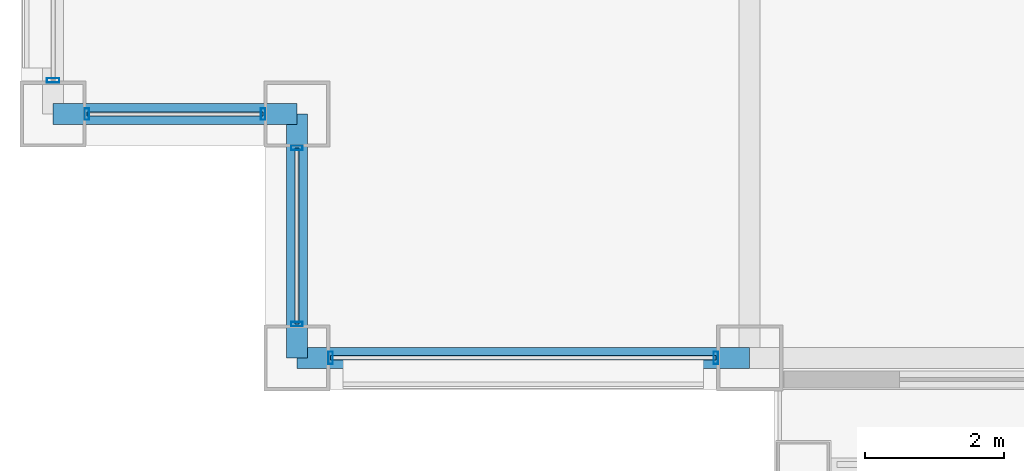
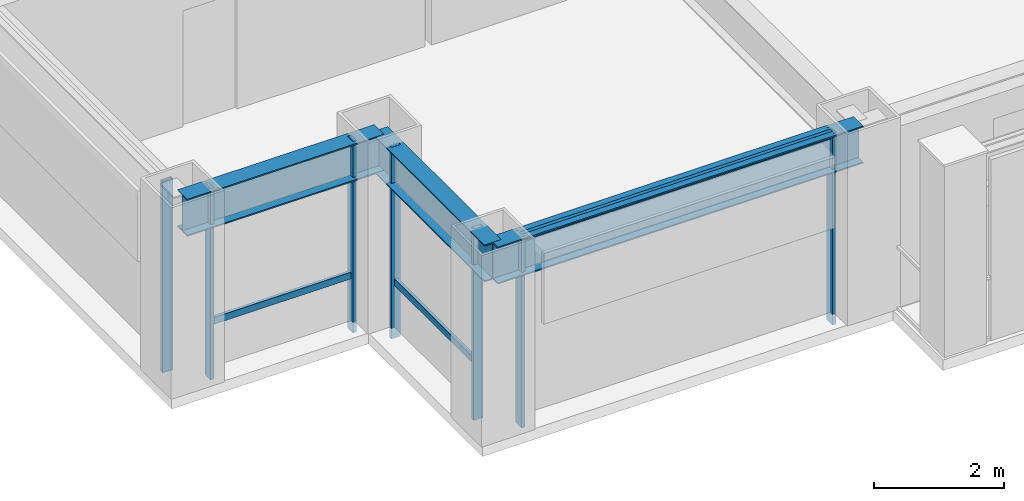
# One storey, part 2 of 31: 10 members, 3 beams, 4 elements without a shape of their own.
"""IFC4 building model written with IfcOpenShell, lengths in metres."""

from ifc_helpers import new_model, si_unit, direction, frame, origin, origin_2d, place, context, subcontext, project, spatial, hollow_rectangle, i_section, extrude, material, layer, layer_set, material_profile, profile_set, type_object, element, aggregate, save


model = new_model("IFC4")

# Units and contexts
model_context = context("Model", 3, precision=1e-05, world=origin(), true_north=direction((0.0, 1.0)))
body_context = subcontext(model_context, "Body", "Model", "MODEL_VIEW")
ifc_project = project(units=[si_unit("LENGTHUNIT", "METRE"), si_unit("AREAUNIT", "SQUARE_METRE"), si_unit("VOLUMEUNIT", "CUBIC_METRE"), si_unit("PLANEANGLEUNIT", "RADIAN"), si_unit("MASSUNIT", "GRAM", prefix="KILO")], contexts=[model_context])

# Site, building, storey
site_placement = place(None, origin())
site = spatial("IfcSite", under=ifc_project, at=site_placement, CompositionType="ELEMENT")
building_placement = place(site_placement, origin())
building = spatial("IfcBuilding", under=site, at=building_placement, Name="Brelmoor Portico Tower", CompositionType="ELEMENT")
storey_placement = place(building_placement, frame((0.0, 0.0, 27.60009765625)))
storey = spatial("IfcBuildingStorey", under=building, at=storey_placement, Name="L06", CompositionType="ELEMENT", Elevation=27.60009765625)

# Beams
ifc_material_1 = material(Name="Steel Q355B", Category="steel")
ifc_material_profile_1 = material_profile(ifc_material_1, i_section(OverallWidth=0.300048828125, OverallDepth=0.699951171875, WebThickness=0.012939453125, FlangeThickness=0.02392578125, at=origin_2d()), Name="HN 700x300x13x24")
ifc_profile_set_1 = profile_set([ifc_material_profile_1], Name="Steel Q355B")
beam_type = type_object("IfcBeamType", Name="BM-SP-700", PredefinedType="SPANDREL", material=ifc_profile_set_1)
beam_placement = place(storey_placement, frame((-21.050048828125, -21.550048828125, 3.0498046875), z_axis=(1.0, 0.0, 0.0), x_axis=(0.0, 1.0, 0.0)))
element("IfcBeam", 1, at=beam_placement, inside=storey, type_object=beam_type, Name="L06 Perimeter Spandrel Beam SP-01", PredefinedType="SPANDREL", context=body_context, shape_type="SweptSolid", body=[
    extrude(i_section(OverallWidth=0.300048828125, OverallDepth=0.699951171875, WebThickness=0.012939453125, FlangeThickness=0.02392578125, at=origin_2d()), origin(), (0.0, 0.0, 1.0), 6.5),
])
for number, where, z_axis, x_axis, name in (
    (2, (-24.550048828125, -18.050048828125, 3.0498046875), (1.0, 0.0, 0.0), (0.0, 1.0, 0.0), "L06 Perimeter Spandrel Beam SP-06"),
    (3, (-21.050048828125, -21.550048828125, 3.0498046875), (0.0, 1.0, 0.0), (-1.0, 0.0, 0.0), "L06 Perimeter Spandrel Beam SP-18"),
):
    element("IfcBeam", number, at=place(storey_placement, frame(where, z_axis=z_axis, x_axis=x_axis)), inside=storey, type_object=beam_type, Name=name, PredefinedType="SPANDREL", context=body_context, shape_type="SweptSolid", body=[
        extrude(i_section(OverallWidth=0.300048828125, OverallDepth=0.699951171875, WebThickness=0.012939453125, FlangeThickness=0.02392578125, at=origin_2d()), origin(), (0.0, 0.0, 1.0), 3.5),
    ])

# Curtain wall, members
ifc_material_2 = material(Name="Anodised Aluminium Alloy 6063-T6", Category="aluminium")
ifc_layer_1 = layer(ifc_material_2, 0.179931640625)
ifc_layer_set_1 = layer_set([ifc_layer_1], Name="Anodised Aluminium Alloy 6063-T6")
curtain_wall_type_1 = type_object("IfcCurtainWallType", Name="CW-NOTCH-CHAMFER", PredefinedType="NOTDEFINED", material=ifc_layer_set_1)
curtain_wall_1_placement = place(storey_placement, origin())
curtain_wall_1 = element("IfcCurtainWall", 4, at=curtain_wall_1_placement, inside=storey, type_object=curtain_wall_type_1, Name="L06 Curtain Wall CWN-L06-SWH", PredefinedType="NOTDEFINED")
ifc_material_profile_2 = material_profile(ifc_material_2, hollow_rectangle(XDim=0.06494140625, YDim=0.1650390625, WallThickness=0.00390625, at=origin_2d()), Name="ALU MULLION 65x165")
ifc_profile_set_2 = profile_set([ifc_material_profile_2], Name="Anodised Aluminium Alloy 6063-T6")
member_type_1 = type_object("IfcMemberType", Name="MB-CW-MULL-165", PredefinedType="MULLION", material=ifc_profile_set_2)
member_1_placement = place(storey_placement, frame((-24.06494140625, -18.050048828125, -0.2001953125), z_axis=(0.0, 0.0, 1.0), x_axis=(1.0, 0.0, 0.0)))
member_1 = element("IfcMember", 5, at=member_1_placement, type_object=member_type_1, Name="CWN-L06-SWH Mullion 00", PredefinedType="MULLION", context=body_context, shape_type="SweptSolid", body=[
    extrude(hollow_rectangle(XDim=0.06494140625, YDim=0.1650390625, WallThickness=0.00390625, at=origin_2d()), origin(), (0.0, 0.0, 1.0), 3.60009765625),
])
member_2_placement = place(storey_placement, frame((-21.534912109375, -18.050048828125, -0.2001953125), z_axis=(0.0, 0.0, 1.0), x_axis=(1.0, 0.0, 0.0)))
member_2 = element("IfcMember", 6, at=member_2_placement, type_object=member_type_1, Name="CWN-L06-SWH Mullion 01", PredefinedType="MULLION", context=body_context, shape_type="SweptSolid", body=[
    extrude(hollow_rectangle(XDim=0.06494140625, YDim=0.1650390625, WallThickness=0.00390625, at=origin_2d()), origin(), (0.0, 0.0, 1.0), 3.60009765625),
])

curtain_wall_2_placement = place(storey_placement, origin())
curtain_wall_2 = element("IfcCurtainWall", 7, at=curtain_wall_2_placement, inside=storey, type_object=curtain_wall_type_1, Name="L06 Curtain Wall CWN-L06-SWV", PredefinedType="NOTDEFINED")
member_3_placement = place(storey_placement, frame((-21.050048828125, -21.06494140625, -0.2001953125), z_axis=(0.0, 0.0, 1.0), x_axis=(0.0, 1.0, 0.0)))
member_3 = element("IfcMember", 8, at=member_3_placement, type_object=member_type_1, Name="CWN-L06-SWV Mullion 00", PredefinedType="MULLION", context=body_context, shape_type="SweptSolid", body=[
    extrude(hollow_rectangle(XDim=0.06494140625, YDim=0.1650390625, WallThickness=0.00390625, at=origin_2d()), origin(), (0.0, 0.0, 1.0), 3.60009765625),
])
member_4_placement = place(storey_placement, frame((-21.050048828125, -18.534912109375, -0.2001953125), z_axis=(0.0, 0.0, 1.0), x_axis=(0.0, 1.0, 0.0)))
member_4 = element("IfcMember", 9, at=member_4_placement, type_object=member_type_1, Name="CWN-L06-SWV Mullion 01", PredefinedType="MULLION", context=body_context, shape_type="SweptSolid", body=[
    extrude(hollow_rectangle(XDim=0.06494140625, YDim=0.1650390625, WallThickness=0.00390625, at=origin_2d()), origin(), (0.0, 0.0, 1.0), 3.60009765625),
])

ifc_layer_2 = layer(ifc_material_2, 0.179931640625)
ifc_layer_set_2 = layer_set([ifc_layer_2], Name="Anodised Aluminium Alloy 6063-T6")
curtain_wall_type_2 = type_object("IfcCurtainWallType", Name="CW-TOWER-Z1-XB", PredefinedType="NOTDEFINED", material=ifc_layer_set_2)
curtain_wall_3_placement = place(storey_placement, origin())
curtain_wall_3 = element("IfcCurtainWall", 10, at=curtain_wall_3_placement, inside=storey, type_object=curtain_wall_type_2, Name="L06 Curtain Wall CW-L06-1L", PredefinedType="NOTDEFINED")
ifc_material_profile_3 = material_profile(ifc_material_2, hollow_rectangle(XDim=0.06494140625, YDim=0.179931640625, WallThickness=0.00390625, at=origin_2d()), Name="ALU MULLION 65x180")
ifc_profile_set_3 = profile_set([ifc_material_profile_3], Name="Anodised Aluminium Alloy 6063-T6")
member_type_2 = type_object("IfcMemberType", Name="MB-CW-MULL-180", PredefinedType="MULLION", material=ifc_profile_set_3)
member_5_placement = place(storey_placement, frame((-20.56494140625, -21.550048828125, -0.2001953125), z_axis=(0.0, 0.0, 1.0), x_axis=(1.0, 0.0, 0.0)))
member_5 = element("IfcMember", 11, at=member_5_placement, type_object=member_type_2, Name="CW-L06-1L Mullion 00", PredefinedType="MULLION", context=body_context, shape_type="SweptSolid", body=[
    extrude(hollow_rectangle(XDim=0.06494140625, YDim=0.179931640625, WallThickness=0.00390625, at=origin_2d()), origin(), (0.0, 0.0, 1.0), 3.60009765625),
])
member_6_placement = place(storey_placement, frame((-15.034912109375, -21.550048828125, -0.2001953125), z_axis=(0.0, 0.0, 1.0), x_axis=(1.0, 0.0, 0.0)))
member_6 = element("IfcMember", 12, at=member_6_placement, type_object=member_type_2, Name="CW-L06-1L Mullion 01", PredefinedType="MULLION", context=body_context, shape_type="SweptSolid", body=[
    extrude(hollow_rectangle(XDim=0.06494140625, YDim=0.179931640625, WallThickness=0.00390625, at=origin_2d()), origin(), (0.0, 0.0, 1.0), 3.60009765625),
])

# Curtain wall, member
curtain_wall_4_placement = place(storey_placement, origin())
curtain_wall_4 = element("IfcCurtainWall", 13, at=curtain_wall_4_placement, inside=storey, type_object=curtain_wall_type_2, Name="L06 Curtain Wall CW-L06-03-1", PredefinedType="NOTDEFINED")
member_7_placement = place(storey_placement, frame((-24.550048828125, -17.56494140625, -0.2001953125), z_axis=(0.0, 0.0, 1.0), x_axis=(0.0, 1.0, 0.0)))
member_7 = element("IfcMember", 14, at=member_7_placement, type_object=member_type_2, Name="CW-L06-03-1 Mullion 00", PredefinedType="MULLION", context=body_context, shape_type="SweptSolid", body=[
    extrude(hollow_rectangle(XDim=0.06494140625, YDim=0.179931640625, WallThickness=0.00390625, at=origin_2d()), origin(), (0.0, 0.0, 1.0), 3.60009765625),
])
aggregate(curtain_wall_4, [member_7])

# Member
ifc_material_profile_4 = material_profile(ifc_material_2, hollow_rectangle(XDim=0.06005859375, YDim=0.125, WallThickness=0.00341796875, at=origin_2d()), Name="ALU TRANSOM 60x125")
ifc_profile_set_4 = profile_set([ifc_material_profile_4], Name="Anodised Aluminium Alloy 6063-T6")
member_type_3 = type_object("IfcMemberType", Name="MB-CW-TRAN-125", PredefinedType="USERDEFINED", material=ifc_profile_set_4)
member_8_placement = place(storey_placement, frame((-24.06494140625, -18.050048828125, 0.849853515625), z_axis=(1.0, 0.0, 0.0), x_axis=(0.0, 1.0, 0.0)))
member_8 = element("IfcMember", 15, at=member_8_placement, type_object=member_type_3, Name="CWN-L06-SWH Transom 1-00", ObjectType="TRANSOM", PredefinedType="USERDEFINED", context=body_context, shape_type="SweptSolid", body=[
    extrude(hollow_rectangle(XDim=0.06005859375, YDim=0.125, WallThickness=0.00341796875, at=origin_2d()), origin(), (0.0, 0.0, 1.0), 2.530029296875),
])

aggregate(curtain_wall_1, [member_1, member_2, member_8])

member_9_placement = place(storey_placement, frame((-21.050048828125, -21.06494140625, 0.849853515625), z_axis=(0.0, 1.0, 0.0), x_axis=(-1.0, 0.0, 0.0)))
member_9 = element("IfcMember", 16, at=member_9_placement, type_object=member_type_3, Name="CWN-L06-SWV Transom 1-00", ObjectType="TRANSOM", PredefinedType="USERDEFINED", context=body_context, shape_type="SweptSolid", body=[
    extrude(hollow_rectangle(XDim=0.06005859375, YDim=0.125, WallThickness=0.00341796875, at=origin_2d()), origin(), (0.0, 0.0, 1.0), 2.530029296875),
])

aggregate(curtain_wall_2, [member_3, member_4, member_9])

ifc_material_profile_5 = material_profile(ifc_material_2, hollow_rectangle(XDim=0.06494140625, YDim=0.139892578125, WallThickness=0.00390625, at=origin_2d()), Name="ALU TRANSOM 65x140")
ifc_profile_set_5 = profile_set([ifc_material_profile_5], Name="Anodised Aluminium Alloy 6063-T6")
member_type_4 = type_object("IfcMemberType", Name="MB-CW-TRAN-140", PredefinedType="USERDEFINED", material=ifc_profile_set_5)
member_10_placement = place(storey_placement, frame((-20.56494140625, -21.550048828125, 3.329833984375), z_axis=(1.0, 0.0, 0.0), x_axis=(0.0, 1.0, 0.0)))
member_10 = element("IfcMember", 17, at=member_10_placement, type_object=member_type_4, Name="CW-L06-1L Transom 1-00", ObjectType="TRANSOM", PredefinedType="USERDEFINED", context=body_context, shape_type="SweptSolid", body=[
    extrude(hollow_rectangle(XDim=0.06494140625, YDim=0.139892578125, WallThickness=0.00390625, at=origin_2d()), origin(), (0.0, 0.0, 1.0), 5.530029296875),
])

aggregate(curtain_wall_3, [member_5, member_6, member_10])

save(model, "model.ifc")
